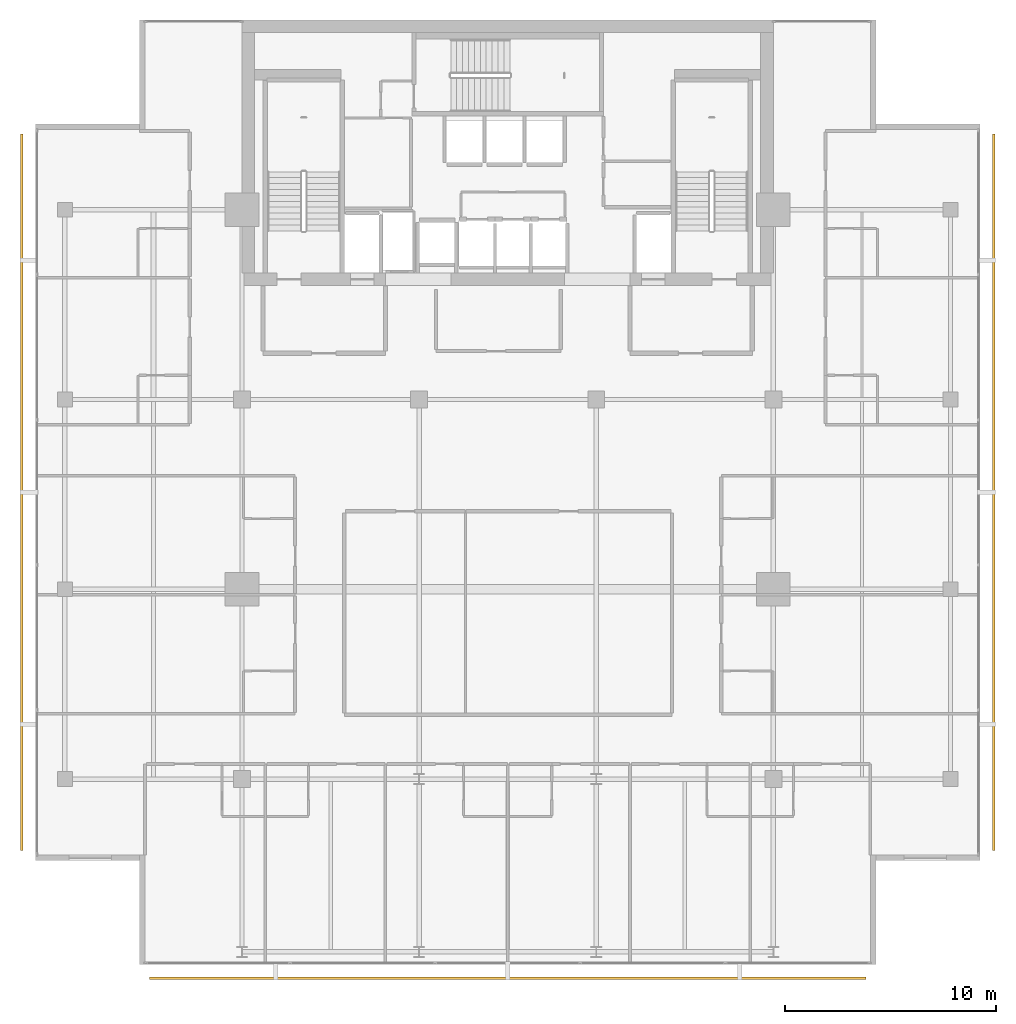
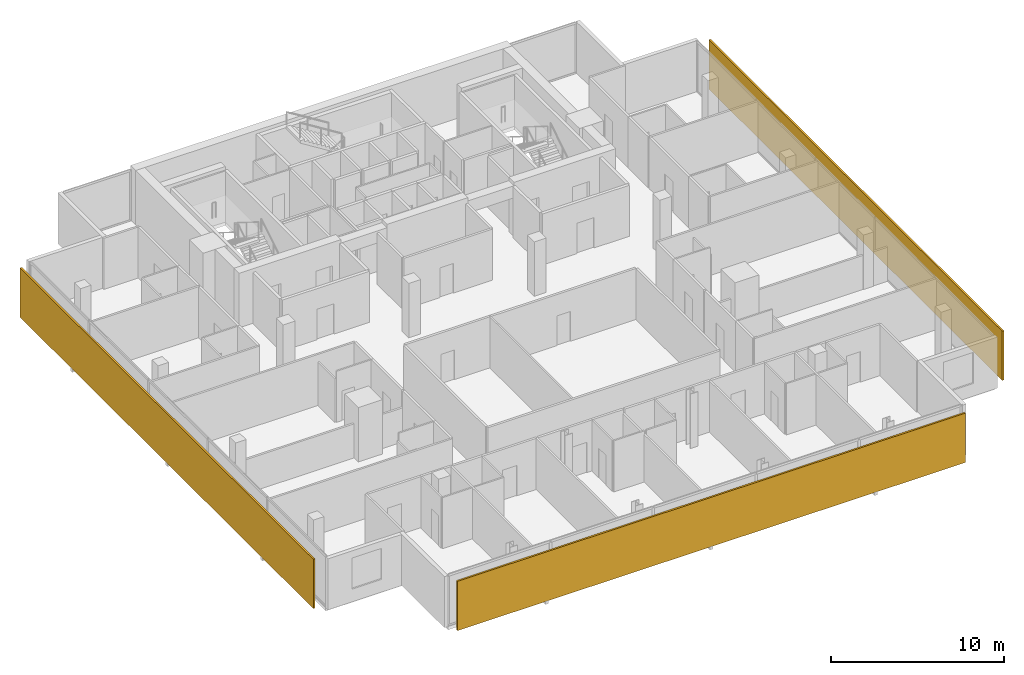
# One storey, part 24 of 25: 3 shading devices.
"""IFC4 building model written with IfcOpenShell, lengths in metres."""

from ifc_helpers import new_model, si_unit, direction, frame, origin, origin_2d, place, context, subcontext, project, spatial, rectangle, extrude, material, layer, layer_set, type_object, element, save


model = new_model("IFC4")

# Units and contexts
model_context = context("Model", 3, precision=1e-05, world=origin(), true_north=direction((0.0, 1.0)))
body_context = subcontext(model_context, "Body", "Model", "MODEL_VIEW")
ifc_project = project(units=[si_unit("LENGTHUNIT", "METRE"), si_unit("AREAUNIT", "SQUARE_METRE"), si_unit("VOLUMEUNIT", "CUBIC_METRE"), si_unit("PLANEANGLEUNIT", "RADIAN"), si_unit("MASSUNIT", "GRAM", prefix="KILO")], contexts=[model_context])

# Site, building, storey
site_placement = place(None, origin())
site = spatial("IfcSite", under=ifc_project, at=site_placement, CompositionType="ELEMENT")
building_placement = place(site_placement, origin())
building = spatial("IfcBuilding", under=site, at=building_placement, Name="Maruvema Waterfront Hotel and Observation Tower", CompositionType="ELEMENT")
storey_placement = place(building_placement, frame((0.0, 0.0, 247.10009765625)))
storey = spatial("IfcBuildingStorey", under=building, at=storey_placement, Name="L60", CompositionType="ELEMENT", Elevation=247.10009765625)

# Shading devices
ifc_material = material(Name="Honed travertine stone and anodised architectural bronze", Category="masonry")
ifc_layer = layer(ifc_material, 0.1201171875, Name="Ventilated Outer Skin Cobogo Stone-and-Bronze Screen 120 mm")
ifc_layer_set = layer_set([ifc_layer], Name="Honed travertine stone and anodised architectural bronze")
shading_device_type = type_object("IfcShadingDeviceType", Name="Ventilated Outer Skin Cobogo Stone-and-Bronze Screen 120 mm", PredefinedType="USERDEFINED", material=ifc_layer_set)
for number, where, z_axis, x_axis, name in (
    (1, (37.800048828125, 8.550048828125, 0.06005859375), (0.0, 0.0, 1.0), (1.0, 0.0, 0.0), "L60 Ventilated Double-Skin Outer Cobogo Screen OS-L60-S"),
    (2, (60.85009765625, 31.60009765625, 0.06005859375), (0.0, 0.0, 1.0), (0.0, 1.0, 0.0), "L60 Ventilated Double-Skin Outer Cobogo Screen OS-L60-E"),
    (3, (14.75, 31.60009765625, 0.06005859375), (0.0, 0.0, 1.0), (0.0, -1.0, 0.0), "L60 Ventilated Double-Skin Outer Cobogo Screen OS-L60-W"),
):
    element("IfcShadingDevice", number, at=place(storey_placement, frame(where, z_axis=z_axis, x_axis=x_axis)), inside=storey, type_object=shading_device_type, Name=name, ObjectType="OUTER SKIN SCREEN", PredefinedType="USERDEFINED", context=body_context, shape_type="SweptSolid", body=[
        extrude(rectangle(XDim=34.0, YDim=0.1201171875, at=origin_2d()), origin(), (0.0, 0.0, 1.0), 3.489990234375),
    ])

save(model, "model.ifc")
